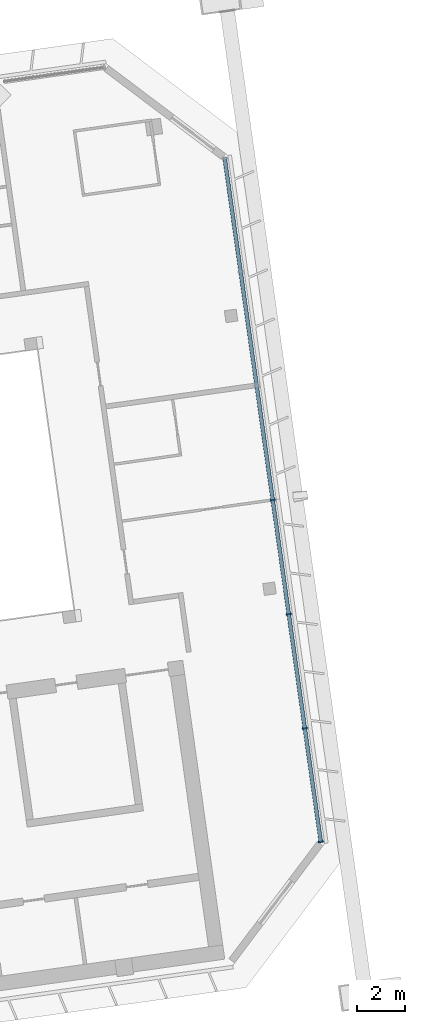
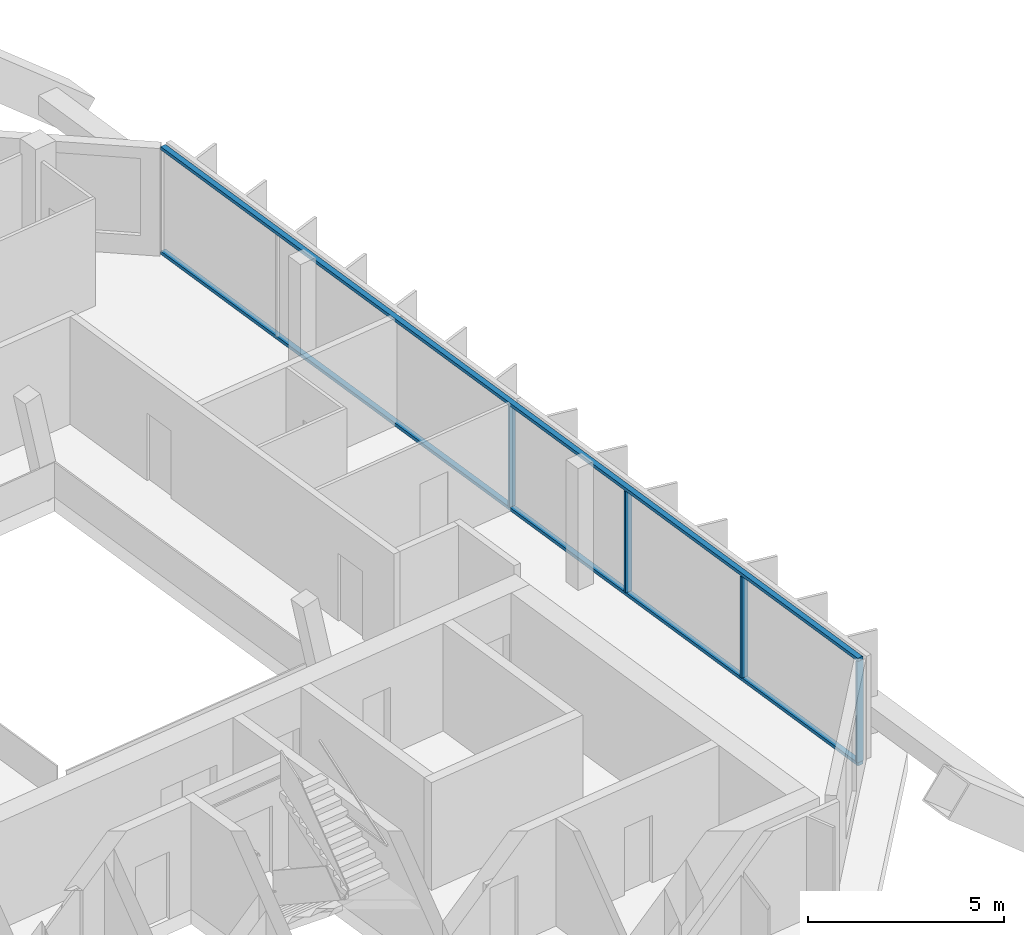
# One storey, part 10 of 25: 6 members, 1 element without a shape of its own.
"""IFC4 building model written with IfcOpenShell, lengths in metres."""

from ifc_helpers import new_model, si_unit, direction, frame, origin, origin_2d, place, context, subcontext, project, spatial, rectangle, extrude, material, material_profile, profile_set, type_object, element, aggregate, save


model = new_model("IFC4")

# Units and contexts
model_context = context("Model", 3, precision=1e-05, world=origin(), true_north=direction((0.0, 1.0)))
body_context = subcontext(model_context, "Body", "Model", "MODEL_VIEW")
ifc_project = project(units=[si_unit("LENGTHUNIT", "METRE"), si_unit("AREAUNIT", "SQUARE_METRE"), si_unit("VOLUMEUNIT", "CUBIC_METRE"), si_unit("PLANEANGLEUNIT", "RADIAN"), si_unit("MASSUNIT", "GRAM", prefix="KILO")], contexts=[model_context])

# Site, building, storey
site_placement = place(None, origin())
site = spatial("IfcSite", under=ifc_project, at=site_placement, CompositionType="ELEMENT")
building_placement = place(site_placement, origin())
building = spatial("IfcBuilding", under=site, at=building_placement, Name="Mirante Cascada Hotel Towers", CompositionType="ELEMENT")
storey_placement = place(building_placement, frame((0.0, 0.0, 247.0)))
storey = spatial("IfcBuildingStorey", under=building, at=storey_placement, Name="L59", CompositionType="ELEMENT", Elevation=247.0)

# Curtain wall, members
ifc_material_1 = material(Name="Aluminium mullion and transom frame with clear laminated glass", Category="aluminium")
curtain_wall_type = type_object("IfcCurtainWallType", Name="End ribbon curtain wall ECW2", PredefinedType="NOTDEFINED", material=ifc_material_1)
curtain_wall_placement = place(storey_placement, origin())
curtain_wall = element("IfcCurtainWall", 1, at=curtain_wall_placement, inside=storey, type_object=curtain_wall_type, Name="Outer end wall T2 L59", PredefinedType="NOTDEFINED")
ifc_material_2 = material(Name="Anodised aluminium extrusion", Category="aluminium")
ifc_material_profile_1 = material_profile(ifc_material_2, rectangle(XDim=0.2, YDim=0.065, at=origin_2d()), Name="ECW2 MULLION 65x200")
ifc_profile_set_1 = profile_set([ifc_material_profile_1], Name="Anodised aluminium extrusion")
member_type_1 = type_object("IfcMemberType", Name="ECW2 mullion 65x200", PredefinedType="MULLION", material=ifc_profile_set_1)
member_1_placement = place(storey_placement, frame((67.5059, -11.2758, 0.1), z_axis=(0.0, 0.0, 1.0), x_axis=(-0.9902681, -0.1391731, 0.0)))
member_1 = element("IfcMember", 2, at=member_1_placement, type_object=member_type_1, Name="ECW2 mullion 1", PredefinedType="MULLION", context=body_context, shape_type="SweptSolid", body=[
    extrude(rectangle(XDim=0.2, YDim=0.065, at=origin_2d()), origin(), (0.0, 0.0, 1.0), 3.15),
])
member_2_placement = place(storey_placement, frame((66.8407, -6.5422, 0.1), z_axis=(0.0, 0.0, 1.0), x_axis=(-0.9902681, -0.1391731, 0.0)))
member_2 = element("IfcMember", 3, at=member_2_placement, type_object=member_type_1, Name="ECW2 mullion 2", PredefinedType="MULLION", context=body_context, shape_type="SweptSolid", body=[
    extrude(rectangle(XDim=0.2, YDim=0.065, at=origin_2d()), origin(), (0.0, 0.0, 1.0), 3.15),
])
member_3_placement = place(storey_placement, frame((66.1709, -1.7764, 0.1), z_axis=(0.0, 0.0, 1.0), x_axis=(-0.9902681, -0.1391731, 0.0)))
member_3 = element("IfcMember", 4, at=member_3_placement, type_object=member_type_1, Name="ECW2 mullion 3", PredefinedType="MULLION", context=body_context, shape_type="SweptSolid", body=[
    extrude(rectangle(XDim=0.2, YDim=0.065, at=origin_2d()), origin(), (0.0, 0.0, 1.0), 3.15),
])
member_4_placement = place(storey_placement, frame((65.5011, 2.9894, 0.1), z_axis=(0.0, 0.0, 1.0), x_axis=(-0.9902681, -0.1391731, 0.0)))
member_4 = element("IfcMember", 5, at=member_4_placement, type_object=member_type_1, Name="ECW2 mullion 4", PredefinedType="MULLION", context=body_context, shape_type="SweptSolid", body=[
    extrude(rectangle(XDim=0.2, YDim=0.065, at=origin_2d()), origin(), (0.0, 0.0, 1.0), 3.15),
])
ifc_material_3 = material(Name="Anodised aluminium extrusion", Category="aluminium")
ifc_material_profile_2 = material_profile(ifc_material_3, rectangle(XDim=0.16, YDim=0.1, at=origin_2d()), Name="ECW2 TRANSOM 100x160")
ifc_profile_set_2 = profile_set([ifc_material_profile_2], Name="Anodised aluminium extrusion")
member_type_2 = type_object("IfcMemberType", Name="ECW2 transom 100x160", PredefinedType="USERDEFINED", material=ifc_profile_set_2)
member_5_placement = place(storey_placement, frame((67.5105, -11.308, 0.05), z_axis=(-0.1391757, 0.9902677, 0.0), x_axis=(-0.9902677, -0.1391757, 0.0)))
member_5 = element("IfcMember", 6, at=member_5_placement, type_object=member_type_2, Name="ECW2 sill transom", ObjectType="TRANSOM", PredefinedType="USERDEFINED", context=body_context, shape_type="SweptSolid", body=[
    extrude(rectangle(XDim=0.16, YDim=0.1, at=origin_2d()), origin(), (0.0, 0.0, 1.0), 28.8757),
])
member_6_placement = place(storey_placement, frame((67.5105, -11.308, 3.3), z_axis=(-0.1391757, 0.9902677, 0.0), x_axis=(-0.9902677, -0.1391757, 0.0)))
member_6 = element("IfcMember", 7, at=member_6_placement, type_object=member_type_2, Name="ECW2 head transom", ObjectType="TRANSOM", PredefinedType="USERDEFINED", context=body_context, shape_type="SweptSolid", body=[
    extrude(rectangle(XDim=0.16, YDim=0.1, at=origin_2d()), origin(), (0.0, 0.0, 1.0), 28.8757),
])
aggregate(curtain_wall, [member_5, member_6, member_1, member_2, member_3, member_4])

save(model, "model.ifc")
